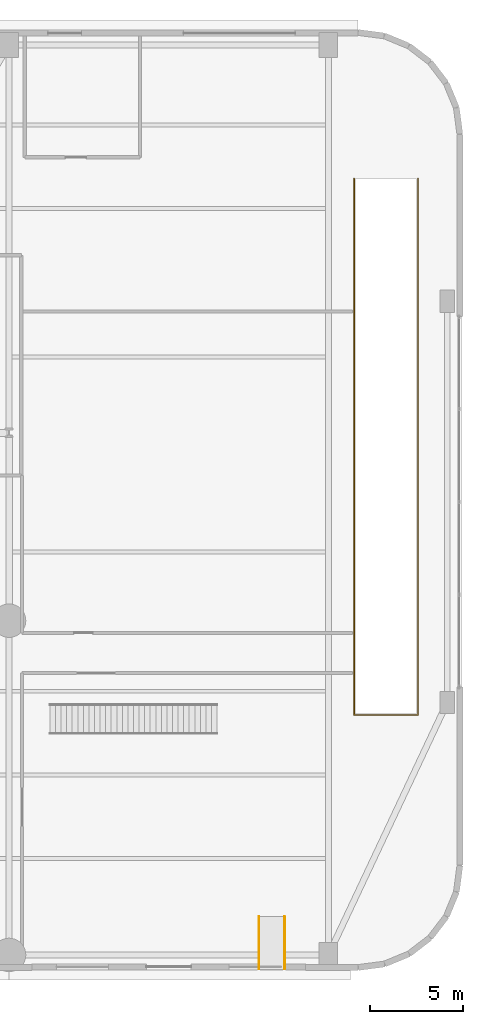
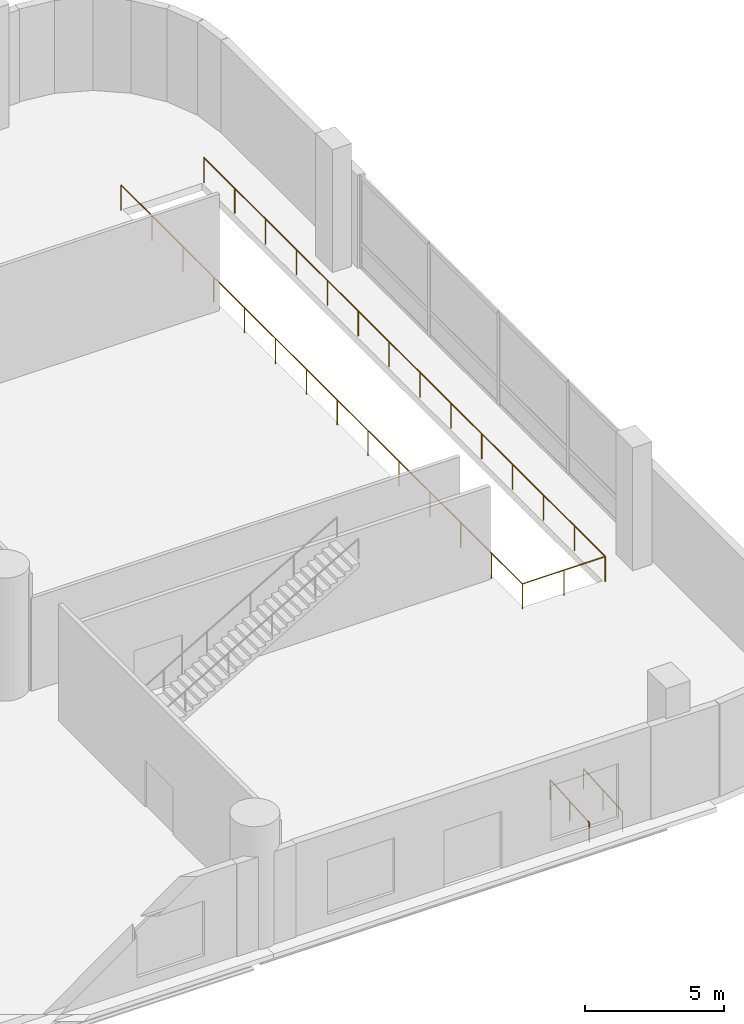
# One storey, part 25 of 26: 3 railings.
"""IFC4 building model written with IfcOpenShell, lengths in metres."""

from ifc_helpers import new_model, si_unit, direction, frame, origin, origin_2d, place, context, subcontext, project, spatial, circle, extrude, material, type_object, element, save


model = new_model("IFC4")

# Units and contexts
model_context = context("Model", 3, precision=1e-05, world=origin(), true_north=direction((0.0, 1.0)))
body_context = subcontext(model_context, "Body", "Model", "MODEL_VIEW")
ifc_project = project(units=[si_unit("LENGTHUNIT", "METRE"), si_unit("AREAUNIT", "SQUARE_METRE"), si_unit("VOLUMEUNIT", "CUBIC_METRE"), si_unit("PLANEANGLEUNIT", "RADIAN"), si_unit("MASSUNIT", "GRAM", prefix="KILO")], contexts=[model_context])

# Site, building, storey
site_placement = place(None, origin())
site = spatial("IfcSite", under=ifc_project, at=site_placement, CompositionType="ELEMENT")
building_placement = place(site_placement, origin())
building = spatial("IfcBuilding", under=site, at=building_placement, Name="Varnelok Gate Tower", CompositionType="ELEMENT")
storey_placement = place(building_placement, origin())
storey = spatial("IfcBuildingStorey", under=building, at=storey_placement, Name="L00", CompositionType="ELEMENT", Elevation=0.0)

# Railings
ifc_material_1 = material(Name="Brushed Stainless Steel AISI 316", Category="steel")
railing_type_1 = type_object("IfcRailingType", Name="RL-RAMP-HAND900", PredefinedType="HANDRAIL", material=ifc_material_1)
for number, where, name in (
    (1, (67.4599609375, 0.050048828125, -0.179931640625), "Accessible Ramp AR-2 Handrail W"),
    (2, (68.840087890625, 0.050048828125, -0.179931640625), "Accessible Ramp AR-2 Handrail E"),
):
    element("IfcRailing", number, at=place(storey_placement, frame(where)), inside=storey, type_object=railing_type_1, Name=name, PredefinedType="HANDRAIL", context=body_context, shape_type="SweptSolid", body=[
        extrude(circle(Radius=0.02392578125, at=origin_2d()), frame((0.0, 0.0, 0.8759765625), z_axis=(0.0, 0.997941687122, 0.064127912059), x_axis=(-1.0, 0.0, 0.0)), (0.0, 0.0, 1.0), 2.805908203125),
        extrude(circle(Radius=0.02099609375, at=origin_2d()), origin(), (0.0, 0.0, 1.0), 0.851806640625),
        extrude(circle(Radius=0.02099609375, at=origin_2d()), frame((0.0, 1.39990234375, 0.08984375)), (0.0, 0.0, 1.0), 0.851806640625),
        extrude(circle(Radius=0.02099609375, at=origin_2d()), frame((0.0, 2.800048828125, 0.179931640625)), (0.0, 0.0, 1.0), 0.851806640625),
    ])
ifc_material_2 = material(Name="Galvanized Steel Grade S350GD", Category="steel")
railing_type_2 = type_object("IfcRailingType", Name="RL-STAIR-GUARD1120", PredefinedType="GUARDRAIL", material=ifc_material_2)
railing_placement = place(storey_placement, frame((72.580078125, 42.60009765625, 0.0)))
element("IfcRailing", 3, at=railing_placement, inside=storey, type_object=railing_type_2, Name="L00 Car Park Ramp Void Guardrail", PredefinedType="GUARDRAIL", context=body_context, shape_type="SweptSolid", body=[
    extrude(circle(Radius=0.02392578125, at=origin_2d()), frame((0.0, 0.0, 1.09619140625), z_axis=(0.0, -1.0, 0.0), x_axis=(1.0, 0.0, 0.0)), (0.0, 0.0, 1.0), 28.880126953125),
    extrude(circle(Radius=0.02392578125, at=origin_2d()), frame((0.0, -28.880126953125, 1.09619140625), z_axis=(1.0, 0.0, 0.0), x_axis=(0.0, 1.0, 0.0)), (0.0, 0.0, 1.0), 3.43994140625),
    extrude(circle(Radius=0.02392578125, at=origin_2d()), frame((3.43994140625, -28.880126953125, 1.09619140625), z_axis=(0.0, 1.0, 0.0), x_axis=(-1.0, 0.0, 0.0)), (0.0, 0.0, 1.0), 28.880126953125),
    extrude(circle(Radius=0.02099609375, at=origin_2d()), origin(), (0.0, 0.0, 1.0), 1.072021484375),
    extrude(circle(Radius=0.02099609375, at=origin_2d()), frame((0.0, -2.221435546875, 0.0)), (0.0, 0.0, 1.0), 1.072021484375),
    extrude(circle(Radius=0.02099609375, at=origin_2d()), frame((0.0, -4.443115234375, 0.0)), (0.0, 0.0, 1.0), 1.072021484375),
    extrude(circle(Radius=0.02099609375, at=origin_2d()), frame((0.0, -6.66455078125, 0.0)), (0.0, 0.0, 1.0), 1.072021484375),
    extrude(circle(Radius=0.02099609375, at=origin_2d()), frame((0.0, -8.88623046875, 0.0)), (0.0, 0.0, 1.0), 1.072021484375),
    extrude(circle(Radius=0.02099609375, at=origin_2d()), frame((0.0, -11.107666015625, 0.0)), (0.0, 0.0, 1.0), 1.072021484375),
    extrude(circle(Radius=0.02099609375, at=origin_2d()), frame((0.0, -13.329345703125, 0.0)), (0.0, 0.0, 1.0), 1.072021484375),
    extrude(circle(Radius=0.02099609375, at=origin_2d()), frame((0.0, -15.55078125, 0.0)), (0.0, 0.0, 1.0), 1.072021484375),
    extrude(circle(Radius=0.02099609375, at=origin_2d()), frame((0.0, -17.7724609375, 0.0)), (0.0, 0.0, 1.0), 1.072021484375),
    extrude(circle(Radius=0.02099609375, at=origin_2d()), frame((0.0, -19.993896484375, 0.0)), (0.0, 0.0, 1.0), 1.072021484375),
    extrude(circle(Radius=0.02099609375, at=origin_2d()), frame((0.0, -22.215576171875, 0.0)), (0.0, 0.0, 1.0), 1.072021484375),
    extrude(circle(Radius=0.02099609375, at=origin_2d()), frame((0.0, -24.43701171875, 0.0)), (0.0, 0.0, 1.0), 1.072021484375),
    extrude(circle(Radius=0.02099609375, at=origin_2d()), frame((0.0, -26.65869140625, 0.0)), (0.0, 0.0, 1.0), 1.072021484375),
    extrude(circle(Radius=0.02099609375, at=origin_2d()), frame((0.0, -28.880126953125, 0.0)), (0.0, 0.0, 1.0), 1.072021484375),
    extrude(circle(Radius=0.02099609375, at=origin_2d()), frame((1.719970703125, -28.880126953125, 0.0)), (0.0, 0.0, 1.0), 1.072021484375),
    extrude(circle(Radius=0.02099609375, at=origin_2d()), frame((3.43994140625, -28.880126953125, 0.0)), (0.0, 0.0, 1.0), 1.072021484375),
    extrude(circle(Radius=0.02099609375, at=origin_2d()), frame((3.43994140625, -26.65869140625, 0.0)), (0.0, 0.0, 1.0), 1.072021484375),
    extrude(circle(Radius=0.02099609375, at=origin_2d()), frame((3.43994140625, -24.43701171875, 0.0)), (0.0, 0.0, 1.0), 1.072021484375),
    extrude(circle(Radius=0.02099609375, at=origin_2d()), frame((3.43994140625, -22.215576171875, 0.0)), (0.0, 0.0, 1.0), 1.072021484375),
    extrude(circle(Radius=0.02099609375, at=origin_2d()), frame((3.43994140625, -19.993896484375, 0.0)), (0.0, 0.0, 1.0), 1.072021484375),
    extrude(circle(Radius=0.02099609375, at=origin_2d()), frame((3.43994140625, -17.7724609375, 0.0)), (0.0, 0.0, 1.0), 1.072021484375),
    extrude(circle(Radius=0.02099609375, at=origin_2d()), frame((3.43994140625, -15.55078125, 0.0)), (0.0, 0.0, 1.0), 1.072021484375),
    extrude(circle(Radius=0.02099609375, at=origin_2d()), frame((3.43994140625, -13.329345703125, 0.0)), (0.0, 0.0, 1.0), 1.072021484375),
    extrude(circle(Radius=0.02099609375, at=origin_2d()), frame((3.43994140625, -11.107666015625, 0.0)), (0.0, 0.0, 1.0), 1.072021484375),
    extrude(circle(Radius=0.02099609375, at=origin_2d()), frame((3.43994140625, -8.88623046875, 0.0)), (0.0, 0.0, 1.0), 1.072021484375),
    extrude(circle(Radius=0.02099609375, at=origin_2d()), frame((3.43994140625, -6.66455078125, 0.0)), (0.0, 0.0, 1.0), 1.072021484375),
    extrude(circle(Radius=0.02099609375, at=origin_2d()), frame((3.43994140625, -4.443115234375, 0.0)), (0.0, 0.0, 1.0), 1.072021484375),
    extrude(circle(Radius=0.02099609375, at=origin_2d()), frame((3.43994140625, -2.221435546875, 0.0)), (0.0, 0.0, 1.0), 1.072021484375),
    extrude(circle(Radius=0.02099609375, at=origin_2d()), frame((3.43994140625, 0.0, 0.0)), (0.0, 0.0, 1.0), 1.072021484375),
])

save(model, "model.ifc")
